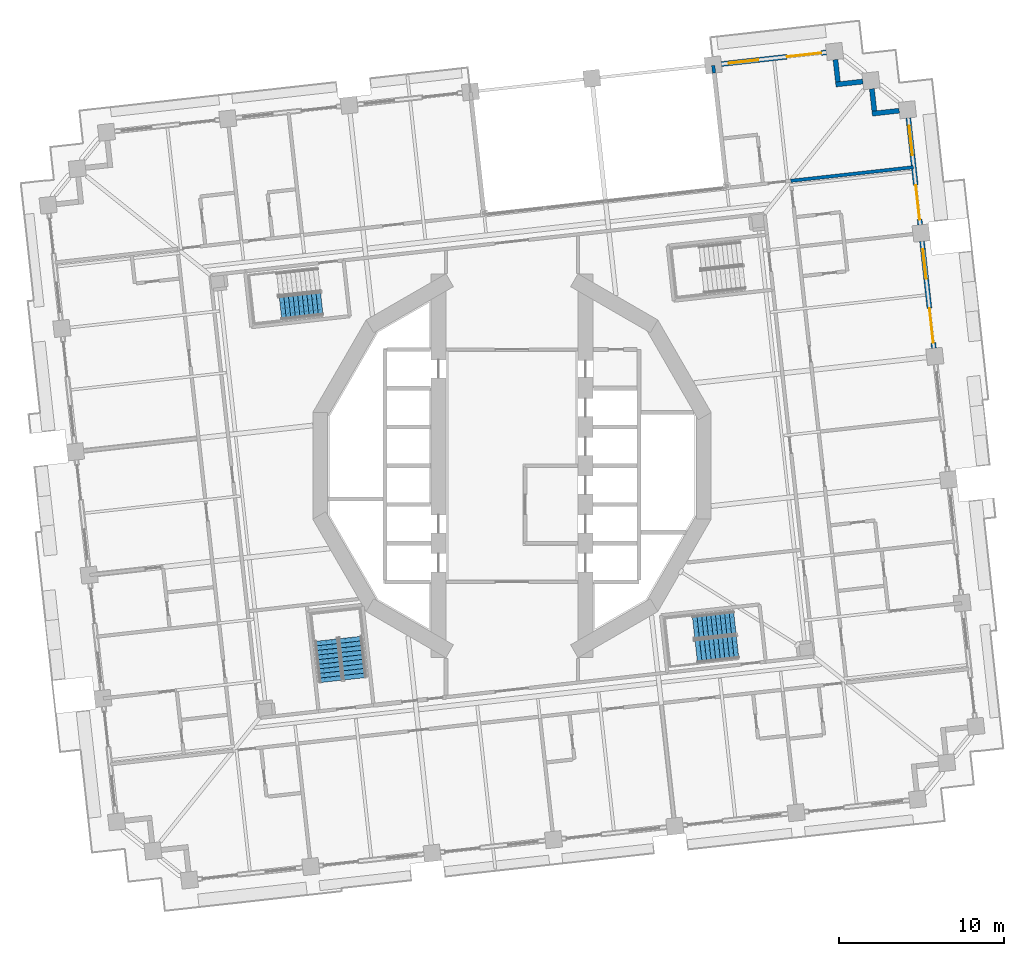
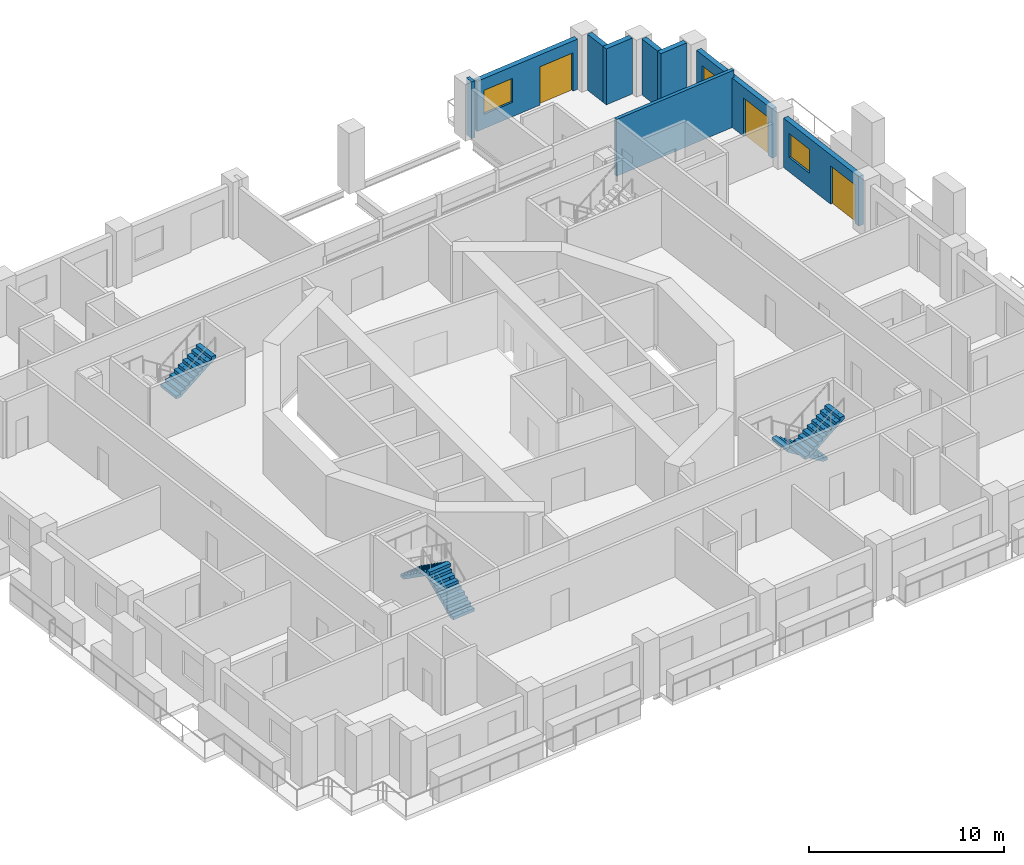
# One storey, part 13 of 20: 9 walls, 5 stair flights, 3 doors, 3 windows, 6 openings, 3 elements without a shape of their own.
"""IFC4 building model written with IfcOpenShell, lengths in metres."""

from ifc_helpers import new_model, si_unit, direction, frame, frame_2d, origin, place, context, subcontext, project, spatial, polyline, rectangle, outline, extrude, material, layer, layer_set, type_object, element, fill, aggregate, save


model = new_model("IFC4")

# Units and contexts
model_context = context("Model", 3, precision=1e-05, world=origin(), true_north=direction((0.0, 1.0)))
body_context = subcontext(model_context, "Body", "Model", "MODEL_VIEW")
ifc_project = project(units=[si_unit("LENGTHUNIT", "METRE"), si_unit("AREAUNIT", "SQUARE_METRE"), si_unit("VOLUMEUNIT", "CUBIC_METRE"), si_unit("PLANEANGLEUNIT", "RADIAN"), si_unit("MASSUNIT", "GRAM", prefix="KILO")], contexts=[model_context])

# Site, building, storey
site_placement = place(None, origin())
site = spatial("IfcSite", under=ifc_project, at=site_placement, CompositionType="ELEMENT")
building_placement = place(site_placement, origin())
building = spatial("IfcBuilding", under=site, at=building_placement, Name="Cantera Rosa Tower", CompositionType="ELEMENT")
storey_placement = place(building_placement, frame((0.0, 0.0, 50.10009765625)))
storey = spatial("IfcBuildingStorey", under=building, at=storey_placement, Name="L09", CompositionType="ELEMENT", Elevation=50.10009765625)

# Walls
ifc_material_1 = material(Name="Hollow clay masonry with cantera stone cladding", Category="masonry")
ifc_layer_1 = layer(ifc_material_1, 0.300048828125)
ifc_layer_set_1 = layer_set([ifc_layer_1], Name="EW-LOGGIA 300")
wall_type_1 = type_object("IfcWallType", Name="EW-LOGGIA 300", PredefinedType="SOLIDWALL", material=ifc_layer_set_1)
wall_1_placement = place(storey_placement, frame((23.46923828125, 21.520263671875, 0.0), z_axis=(0.0, 0.0, 1.0), x_axis=(-0.993905369514, -0.110236638423, 0.0)))
element("IfcWall", 1, at=wall_1_placement, inside=storey, type_object=wall_type_1, Name="EN-L09-W06a", PredefinedType="SOLIDWALL", context=body_context, shape_type="SweptSolid", body=[
    extrude(rectangle(XDim=1.64990234375, YDim=0.300048828125, at=frame_2d((0.824951171875, 0.0))), origin(), (0.0, 0.0, 1.0), 3.5),
])
wall_2_placement = place(storey_placement, frame((21.9619140625, 21.50390625, 0.0), z_axis=(0.0, 0.0, 1.0), x_axis=(-0.110312435488, 0.993896959738, 0.0)))
element("IfcWall", 2, at=wall_2_placement, inside=storey, type_object=wall_type_1, Name="EN-L09-W06b", PredefinedType="SOLIDWALL", context=body_context, shape_type="SweptSolid", body=[
    extrude(rectangle(XDim=1.35009765625, YDim=0.300048828125, at=frame_2d((0.675048828125, 0.0))), origin(), (0.0, 0.0, 1.0), 3.5),
])
wall_3_placement = place(storey_placement, frame((21.2607421875, 23.287353515625, 0.0), z_axis=(0.0, 0.0, 1.0), x_axis=(-0.993905369514, -0.110236638423, 0.0)))
element("IfcWall", 3, at=wall_3_placement, inside=storey, type_object=wall_type_1, Name="EN-L09-W07a", PredefinedType="SOLIDWALL", context=body_context, shape_type="SweptSolid", body=[
    extrude(rectangle(XDim=1.64990234375, YDim=0.300048828125, at=frame_2d((0.824951171875, 0.0))), origin(), (0.0, 0.0, 1.0), 3.5),
])
wall_4_placement = place(storey_placement, frame((19.75341796875, 23.27099609375, 0.0), z_axis=(0.0, 0.0, 1.0), x_axis=(-0.110312435488, 0.993896959738, 0.0)))
element("IfcWall", 4, at=wall_4_placement, inside=storey, type_object=wall_type_1, Name="EN-L09-W07b", PredefinedType="SOLIDWALL", context=body_context, shape_type="SweptSolid", body=[
    extrude(rectangle(XDim=1.35009765625, YDim=0.300048828125, at=frame_2d((0.675048828125, 0.0))), origin(), (0.0, 0.0, 1.0), 3.5),
])

# Wall, openings, window, door
ifc_material_2 = material(Name="Hollow clay masonry with cantera stone cladding", Category="masonry")
ifc_layer_2 = layer(ifc_material_2, 0.300048828125)
ifc_layer_set_2 = layer_set([ifc_layer_2], Name="EW-LOGGIA 300 H3090")
wall_type_2 = type_object("IfcWallType", Name="EW-LOGGIA 300 H3090", PredefinedType="SOLIDWALL", material=ifc_layer_set_2)
wall_5_placement = place(storey_placement, frame((25.570068359375, 7.124267578125, 0.0), z_axis=(0.0, 0.0, 1.0), x_axis=(-0.110312341265, 0.993896970196, 0.0)))
wall_5 = element("IfcWall", 5, at=wall_5_placement, inside=storey, type_object=wall_type_2, Name="EN-L09-W04", PredefinedType="SOLIDWALL", context=body_context, shape_type="SweptSolid", body=[
    extrude(rectangle(XDim=6.52001953125, YDim=0.300048828125, at=frame_2d((3.260009765625, 0.0))), origin(), (0.0, 0.0, 1.0), 3.08984375),
])
opening_1_placement = place(wall_5_placement, frame((0.330078125, 0.0, 0.0)))
opening_1 = element("IfcOpeningElement", 6, at=opening_1_placement, cuts=wall_5, Name="Opening L09-TD07", PredefinedType="OPENING", context=body_context, shape_type="SweptSolid", body=[
    extrude(rectangle(XDim=2.10009765625, YDim=2.39990234375, at=frame_2d((1.050048828125, 1.199951171875))), frame((0.0, 0.159912109375, 0.0), z_axis=(0.0, -1.0, 0.0), x_axis=(1.0, 0.0, 0.0)), (0.0, 0.0, 1.0), 0.320068359375),
])
opening_2_placement = place(wall_5_placement, frame((4.239990234375, 0.0, 0.89990234375)))
opening_2 = element("IfcOpeningElement", 7, at=opening_2_placement, cuts=wall_5, Name="Opening L09-W08", PredefinedType="OPENING", context=body_context, shape_type="SweptSolid", body=[
    extrude(rectangle(XDim=1.800048828125, YDim=1.5, at=frame_2d((0.89990234375, 0.75))), frame((0.0, 0.159912109375, 0.0), z_axis=(0.0, -1.0, 0.0), x_axis=(1.0, 0.0, 0.0)), (0.0, 0.0, 1.0), 0.320068359375),
])
ifc_material_3 = material(Name="Aluminium frame with clear glass", Category="aluminium")
window_type = type_object("IfcWindowType", Name="Hotel room window 1800x1500", PartitioningType="DOUBLE_PANEL_VERTICAL", PredefinedType="WINDOW", material=ifc_material_3)
window_1_placement = place(opening_2_placement, origin())
window_1 = element("IfcWindow", 8, at=window_1_placement, inside=storey, type_object=window_type, Name="WINDOW L09-W08", OverallHeight=1.5, OverallWidth=1.800048828125, PartitioningType="SINGLE_PANEL", PredefinedType="WINDOW", context=body_context, shape_type="SweptSolid", body=[
    extrude(rectangle(XDim=1.800048828125, YDim=1.5, at=frame_2d((0.89990234375, 0.75))), frame((0.0, 0.030029296875, 0.0), z_axis=(0.0, -1.0, 0.0), x_axis=(1.0, 0.0, 0.0)), (0.0, 0.0, 1.0), 0.06005859375),
])
fill(opening_2, window_1)
ifc_material_4 = material(Name="Aluminium frame with clear glass", Category="aluminium")
door_type = type_object("IfcDoorType", Name="TD-H 2100x2400", OperationType="NOTDEFINED", PredefinedType="DOOR", material=ifc_material_4)
door_1_placement = place(opening_1_placement, origin())
door_1 = element("IfcDoor", 9, at=door_1_placement, inside=storey, type_object=door_type, Name="LOGGIA DOOR L09-TD07", OperationType="SLIDING_TO_LEFT", OverallHeight=2.39990234375, OverallWidth=2.10009765625, PredefinedType="DOOR", context=body_context, shape_type="SweptSolid", body=[
    extrude(rectangle(XDim=2.10009765625, YDim=2.39990234375, at=frame_2d((1.050048828125, 1.199951171875))), frame((0.0, 0.02490234375, 0.0), z_axis=(0.0, -1.0, 0.0), x_axis=(1.0, 0.0, 0.0)), (0.0, 0.0, 1.0), 0.050048828125),
])
fill(opening_1, door_1)

wall_6_placement = place(storey_placement, frame((24.74072265625, 14.598388671875, 0.0), z_axis=(0.0, 0.0, 1.0), x_axis=(-0.110312341265, 0.993896970196, 0.0)))
wall_6 = element("IfcWall", 10, at=wall_6_placement, inside=storey, type_object=wall_type_2, Name="EN-L09-W05", PredefinedType="SOLIDWALL", context=body_context, shape_type="SweptSolid", body=[
    extrude(rectangle(XDim=6.52001953125, YDim=0.300048828125, at=frame_2d((3.260009765625, 0.0))), origin(), (0.0, 0.0, 1.0), 3.08984375),
])
opening_3_placement = place(wall_6_placement, frame((0.330078125, 0.0, 0.0)))
opening_3 = element("IfcOpeningElement", 11, at=opening_3_placement, cuts=wall_6, Name="Opening L09-TD09", PredefinedType="OPENING", context=body_context, shape_type="SweptSolid", body=[
    extrude(rectangle(XDim=2.10009765625, YDim=2.39990234375, at=frame_2d((1.050048828125, 1.199951171875))), frame((0.0, 0.159912109375, 0.0), z_axis=(0.0, -1.0, 0.0), x_axis=(1.0, 0.0, 0.0)), (0.0, 0.0, 1.0), 0.320068359375),
])
opening_4_placement = place(wall_6_placement, frame((4.239990234375, 0.0, 0.89990234375)))
opening_4 = element("IfcOpeningElement", 12, at=opening_4_placement, cuts=wall_6, Name="Opening L09-W10", PredefinedType="OPENING", context=body_context, shape_type="SweptSolid", body=[
    extrude(rectangle(XDim=1.800048828125, YDim=1.5, at=frame_2d((0.89990234375, 0.75))), frame((0.0, 0.159912109375, 0.0), z_axis=(0.0, -1.0, 0.0), x_axis=(1.0, 0.0, 0.0)), (0.0, 0.0, 1.0), 0.320068359375),
])
window_2_placement = place(opening_4_placement, origin())
window_2 = element("IfcWindow", 13, at=window_2_placement, inside=storey, type_object=window_type, Name="WINDOW L09-W10", OverallHeight=1.5, OverallWidth=1.800048828125, PartitioningType="SINGLE_PANEL", PredefinedType="WINDOW", context=body_context, shape_type="SweptSolid", body=[
    extrude(rectangle(XDim=1.800048828125, YDim=1.5, at=frame_2d((0.89990234375, 0.75))), frame((0.0, 0.030029296875, 0.0), z_axis=(0.0, -1.0, 0.0), x_axis=(1.0, 0.0, 0.0)), (0.0, 0.0, 1.0), 0.06005859375),
])
fill(opening_4, window_2)
door_2_placement = place(opening_3_placement, origin())
door_2 = element("IfcDoor", 14, at=door_2_placement, inside=storey, type_object=door_type, Name="LOGGIA DOOR L09-TD09", OperationType="SLIDING_TO_LEFT", OverallHeight=2.39990234375, OverallWidth=2.10009765625, PredefinedType="DOOR", context=body_context, shape_type="SweptSolid", body=[
    extrude(rectangle(XDim=2.10009765625, YDim=2.39990234375, at=frame_2d((1.050048828125, 1.199951171875))), frame((0.0, 0.02490234375, 0.0), z_axis=(0.0, -1.0, 0.0), x_axis=(1.0, 0.0, 0.0)), (0.0, 0.0, 1.0), 0.050048828125),
])
fill(opening_3, door_2)

ifc_material_5 = material(Name="Hollow clay masonry with cantera stone cladding", Category="masonry")
ifc_layer_3 = layer(ifc_material_5, 0.300048828125)
ifc_layer_set_3 = layer_set([ifc_layer_3], Name="EW-LOGGIA 300 H3140")
wall_type_3 = type_object("IfcWallType", Name="EW-LOGGIA 300 H3140", PredefinedType="SOLIDWALL", material=ifc_layer_set_3)
wall_7_placement = place(storey_placement, frame((19.052490234375, 25.0546875, 0.0), z_axis=(0.0, 0.0, 1.0), x_axis=(-0.993896288542, -0.110318482689, 0.0)))
wall_7 = element("IfcWall", 15, at=wall_7_placement, inside=storey, type_object=wall_type_3, Name="EN-L09-W08", PredefinedType="SOLIDWALL", context=body_context, shape_type="SweptSolid", body=[
    extrude(rectangle(XDim=6.400146484375, YDim=0.300048828125, at=frame_2d((3.2001953125, 0.0))), origin(), (0.0, 0.0, 1.0), 3.139892578125),
])
opening_5_placement = place(wall_7_placement, frame((0.300048828125, 0.0, 0.0)))
opening_5 = element("IfcOpeningElement", 16, at=opening_5_placement, cuts=wall_7, Name="Opening L09-TD11", PredefinedType="OPENING", context=body_context, shape_type="SweptSolid", body=[
    extrude(rectangle(XDim=2.10009765625, YDim=2.39990234375, at=frame_2d((1.050048828125, 1.199951171875))), frame((0.0, 0.159912109375, 0.0), z_axis=(0.0, -1.0, 0.0), x_axis=(1.0, 0.0, 0.0)), (0.0, 0.0, 1.0), 0.320068359375),
])
opening_6_placement = place(wall_7_placement, frame((4.14990234375, 0.0, 0.89990234375)))
opening_6 = element("IfcOpeningElement", 17, at=opening_6_placement, cuts=wall_7, Name="Opening L09-W12", PredefinedType="OPENING", context=body_context, shape_type="SweptSolid", body=[
    extrude(rectangle(XDim=1.800048828125, YDim=1.5, at=frame_2d((0.89990234375, 0.75))), frame((0.0, 0.159912109375, 0.0), z_axis=(0.0, -1.0, 0.0), x_axis=(1.0, 0.0, 0.0)), (0.0, 0.0, 1.0), 0.320068359375),
])
window_3_placement = place(opening_6_placement, origin())
window_3 = element("IfcWindow", 18, at=window_3_placement, inside=storey, type_object=window_type, Name="WINDOW L09-W12", OverallHeight=1.5, OverallWidth=1.800048828125, PartitioningType="SINGLE_PANEL", PredefinedType="WINDOW", context=body_context, shape_type="SweptSolid", body=[
    extrude(rectangle(XDim=1.800048828125, YDim=1.5, at=frame_2d((0.89990234375, 0.75))), frame((0.0, 0.030029296875, 0.0), z_axis=(0.0, -1.0, 0.0), x_axis=(1.0, 0.0, 0.0)), (0.0, 0.0, 1.0), 0.06005859375),
])
fill(opening_6, window_3)
door_3_placement = place(opening_5_placement, origin())
door_3 = element("IfcDoor", 19, at=door_3_placement, inside=storey, type_object=door_type, Name="LOGGIA DOOR L09-TD11", OperationType="SLIDING_TO_LEFT", OverallHeight=2.39990234375, OverallWidth=2.10009765625, PredefinedType="DOOR", context=body_context, shape_type="SweptSolid", body=[
    extrude(rectangle(XDim=2.10009765625, YDim=2.39990234375, at=frame_2d((1.050048828125, 1.199951171875))), frame((0.0, 0.02490234375, 0.0), z_axis=(0.0, -1.0, 0.0), x_axis=(1.0, 0.0, 0.0)), (0.0, 0.0, 1.0), 0.050048828125),
])
fill(opening_5, door_3)

# Walls
ifc_material_6 = material(Name="Gypsum board partition")
ifc_layer_4 = layer(ifc_material_6, 0.199951171875)
ifc_layer_set_4 = layer_set([ifc_layer_4], Name="PARTITION 200 H3550")
wall_type_4 = type_object("IfcWallType", Name="PARTITION 200 H3550", PredefinedType="PARTITIONING", material=ifc_layer_set_4)
wall_8_placement = place(storey_placement, frame((12.249755859375, 23.79638671875, 0.0), z_axis=(0.0, 0.0, 1.0), x_axis=(-0.110089547864, 0.993921672694, 0.0)))
element("IfcWall", 20, at=wall_8_placement, inside=storey, type_object=wall_type_4, Name="PARTITION L09-081", PredefinedType="PARTITIONING", context=body_context, shape_type="SweptSolid", body=[
    extrude(rectangle(XDim=0.47021484375, YDim=0.199951171875, at=frame_2d((0.235107421875, 0.0))), origin(), (0.0, 0.0, 1.0), 3.5498046875),
])
ifc_material_7 = material(Name="Gypsum board partition")
ifc_layer_5 = layer(ifc_material_7, 0.199951171875)
ifc_layer_set_5 = layer_set([ifc_layer_5], Name="PARTY WALL 200 H3550")
wall_type_5 = type_object("IfcWallType", Name="PARTY WALL 200 H3550", PredefinedType="PARTITIONING", material=ifc_layer_set_5)
wall_9_placement = place(storey_placement, frame((16.898193359375, 17.26953125, 0.0), z_axis=(0.0, 0.0, 1.0), x_axis=(0.993897676912, 0.110305973679, 0.0)))
element("IfcWall", 21, at=wall_9_placement, inside=storey, type_object=wall_type_5, Name="PARTY WALL L09-100", PredefinedType="PARTITIONING", context=body_context, shape_type="SweptSolid", body=[
    extrude(rectangle(XDim=7.469970703125, YDim=0.199951171875, at=frame_2d((3.73486328125, 0.0))), origin(), (0.0, 0.0, 1.0), 3.5498046875),
])

# Stair, stair flight
ifc_material_8 = material(Name="Concrete C35/45", Category="concrete")
stair_type = type_object("IfcStairType", Name="EXIT STAIR 1350 DOGLEG", PredefinedType="HALF_TURN_STAIR", material=ifc_material_8)
stair_1_placement = place(storey_placement, origin())
stair_1 = element("IfcStair", 22, at=stair_1_placement, inside=storey, type_object=stair_type, Name="L09 ST-12", PredefinedType="HALF_TURN_STAIR")
ifc_material_9 = material(Name="Concrete C35/45", Category="concrete")
stair_flight_type = type_object("IfcStairFlightType", Name="STAIR FLIGHT 1350 R20x190", PredefinedType="STRAIGHT", material=ifc_material_9)
stair_flight_1_placement = place(storey_placement, frame((-14.030517578125, 9.531005859375, 1.89990234375), z_axis=(0.0, 0.0, 1.0), x_axis=(0.993896947056, 0.110312549749, 0.0)))
stair_flight_1 = element("IfcStairFlight", 23, at=stair_flight_1_placement, type_object=stair_flight_type, Name="ST-12 flight 2", NumberOfRisers=10, NumberOfTreads=9, PredefinedType="STRAIGHT", RiserHeight=0.19, TreadLength=0.28, context=body_context, shape_type="SweptSolid", body=[
    extrude(outline(polyline([(0.0, 0.0), (0.0, 0.18994140625), (0.280029296875, 0.18994140625), (0.280029296875, 0.3798828125), (0.56005859375, 0.3798828125), (0.56005859375, 0.570068359375), (0.840087890625, 0.570068359375), (0.840087890625, 0.760009765625), (1.1201171875, 0.760009765625), (1.1201171875, 0.949951171875), (1.39990234375, 0.949951171875), (1.39990234375, 1.139892578125), (1.679931640625, 1.139892578125), (1.679931640625, 1.330078125), (1.9599609375, 1.330078125), (1.9599609375, 1.52001953125), (2.239990234375, 1.52001953125), (2.239990234375, 1.7099609375), (2.52001953125, 1.7099609375), (2.52001953125, 1.89990234375), (2.52001953125, 1.52880859375), (0.266845703125, 0.0), (0.0, 0.0)])), frame((0.0, 0.675048828125, 0.0), z_axis=(0.0, -1.0, 0.0), x_axis=(1.0, 0.0, 0.0)), (0.0, 0.0, 1.0), 0.3359375),
    extrude(outline(polyline([(0.0, 0.0), (0.0, 0.18994140625), (0.280029296875, 0.18994140625), (0.280029296875, 0.3798828125), (0.56005859375, 0.3798828125), (0.56005859375, 0.570068359375), (0.840087890625, 0.570068359375), (0.840087890625, 0.760009765625), (1.1201171875, 0.760009765625), (1.1201171875, 0.949951171875), (1.39990234375, 0.949951171875), (1.39990234375, 1.139892578125), (1.679931640625, 1.139892578125), (1.679931640625, 1.330078125), (1.9599609375, 1.330078125), (1.9599609375, 1.52001953125), (2.239990234375, 1.52001953125), (2.239990234375, 1.7099609375), (2.52001953125, 1.7099609375), (2.52001953125, 1.89990234375), (2.52001953125, 1.52880859375), (0.266845703125, 0.0), (0.0, 0.0)])), frame((0.0, 0.337158203125, 0.0), z_axis=(0.0, -1.0, 0.0), x_axis=(1.0, 0.0, 0.0)), (0.0, 0.0, 1.0), 0.3359375),
    extrude(outline(polyline([(0.0, 0.0), (0.0, 0.18994140625), (0.280029296875, 0.18994140625), (0.280029296875, 0.3798828125), (0.56005859375, 0.3798828125), (0.56005859375, 0.570068359375), (0.840087890625, 0.570068359375), (0.840087890625, 0.760009765625), (1.1201171875, 0.760009765625), (1.1201171875, 0.949951171875), (1.39990234375, 0.949951171875), (1.39990234375, 1.139892578125), (1.679931640625, 1.139892578125), (1.679931640625, 1.330078125), (1.9599609375, 1.330078125), (1.9599609375, 1.52001953125), (2.239990234375, 1.52001953125), (2.239990234375, 1.7099609375), (2.52001953125, 1.7099609375), (2.52001953125, 1.89990234375), (2.52001953125, 1.52880859375), (0.266845703125, 0.0), (0.0, 0.0)])), frame((0.0, -0.000732421875, 0.0), z_axis=(0.0, -1.0, 0.0), x_axis=(1.0, 0.0, 0.0)), (0.0, 0.0, 1.0), 0.3359375),
    extrude(outline(polyline([(0.0, 0.0), (0.0, 0.18994140625), (0.280029296875, 0.18994140625), (0.280029296875, 0.3798828125), (0.56005859375, 0.3798828125), (0.56005859375, 0.570068359375), (0.840087890625, 0.570068359375), (0.840087890625, 0.760009765625), (1.1201171875, 0.760009765625), (1.1201171875, 0.949951171875), (1.39990234375, 0.949951171875), (1.39990234375, 1.139892578125), (1.679931640625, 1.139892578125), (1.679931640625, 1.330078125), (1.9599609375, 1.330078125), (1.9599609375, 1.52001953125), (2.239990234375, 1.52001953125), (2.239990234375, 1.7099609375), (2.52001953125, 1.7099609375), (2.52001953125, 1.89990234375), (2.52001953125, 1.52880859375), (0.266845703125, 0.0), (0.0, 0.0)])), frame((0.0, -0.338623046875, 0.0), z_axis=(0.0, -1.0, 0.0), x_axis=(1.0, 0.0, 0.0)), (0.0, 0.0, 1.0), 0.3359375),
])
aggregate(stair_1, [stair_flight_1])

# Stair, stair flights
stair_2_placement = place(storey_placement, origin())
stair_2 = element("IfcStair", 24, at=stair_2_placement, inside=storey, type_object=stair_type, Name="L09 ST-13", PredefinedType="HALF_TURN_STAIR")
stair_flight_2_placement = place(storey_placement, frame((-9.500244140625, -12.90869140625, 0.0), z_axis=(0.0, 0.0, 1.0), x_axis=(-0.110312549749, 0.993896947056, 0.0)))
stair_flight_2 = element("IfcStairFlight", 25, at=stair_flight_2_placement, type_object=stair_flight_type, Name="ST-13 flight 1", NumberOfRisers=10, NumberOfTreads=9, PredefinedType="STRAIGHT", RiserHeight=0.19, TreadLength=0.28, context=body_context, shape_type="SweptSolid", body=[
    extrude(outline(polyline([(0.0, 0.0), (0.0, 0.18994140625), (0.280029296875, 0.18994140625), (0.280029296875, 0.3798828125), (0.56005859375, 0.3798828125), (0.56005859375, 0.570068359375), (0.840087890625, 0.570068359375), (0.840087890625, 0.760009765625), (1.1201171875, 0.760009765625), (1.1201171875, 0.949951171875), (1.39990234375, 0.949951171875), (1.39990234375, 1.139892578125), (1.679931640625, 1.139892578125), (1.679931640625, 1.330078125), (1.9599609375, 1.330078125), (1.9599609375, 1.52001953125), (2.239990234375, 1.52001953125), (2.239990234375, 1.7099609375), (2.52001953125, 1.7099609375), (2.52001953125, 1.89990234375), (2.52001953125, 1.52880859375), (0.266845703125, 0.0), (0.0, 0.0)])), frame((0.0, 0.675048828125, 0.0), z_axis=(0.0, -1.0, 0.0), x_axis=(1.0, 0.0, 0.0)), (0.0, 0.0, 1.0), 0.3359375),
    extrude(outline(polyline([(0.0, 0.0), (0.0, 0.18994140625), (0.280029296875, 0.18994140625), (0.280029296875, 0.3798828125), (0.56005859375, 0.3798828125), (0.56005859375, 0.570068359375), (0.840087890625, 0.570068359375), (0.840087890625, 0.760009765625), (1.1201171875, 0.760009765625), (1.1201171875, 0.949951171875), (1.39990234375, 0.949951171875), (1.39990234375, 1.139892578125), (1.679931640625, 1.139892578125), (1.679931640625, 1.330078125), (1.9599609375, 1.330078125), (1.9599609375, 1.52001953125), (2.239990234375, 1.52001953125), (2.239990234375, 1.7099609375), (2.52001953125, 1.7099609375), (2.52001953125, 1.89990234375), (2.52001953125, 1.52880859375), (0.266845703125, 0.0), (0.0, 0.0)])), frame((0.0, 0.337158203125, 0.0), z_axis=(0.0, -1.0, 0.0), x_axis=(1.0, 0.0, 0.0)), (0.0, 0.0, 1.0), 0.3359375),
    extrude(outline(polyline([(0.0, 0.0), (0.0, 0.18994140625), (0.280029296875, 0.18994140625), (0.280029296875, 0.3798828125), (0.56005859375, 0.3798828125), (0.56005859375, 0.570068359375), (0.840087890625, 0.570068359375), (0.840087890625, 0.760009765625), (1.1201171875, 0.760009765625), (1.1201171875, 0.949951171875), (1.39990234375, 0.949951171875), (1.39990234375, 1.139892578125), (1.679931640625, 1.139892578125), (1.679931640625, 1.330078125), (1.9599609375, 1.330078125), (1.9599609375, 1.52001953125), (2.239990234375, 1.52001953125), (2.239990234375, 1.7099609375), (2.52001953125, 1.7099609375), (2.52001953125, 1.89990234375), (2.52001953125, 1.52880859375), (0.266845703125, 0.0), (0.0, 0.0)])), frame((0.0, -0.000732421875, 0.0), z_axis=(0.0, -1.0, 0.0), x_axis=(1.0, 0.0, 0.0)), (0.0, 0.0, 1.0), 0.3359375),
    extrude(outline(polyline([(0.0, 0.0), (0.0, 0.18994140625), (0.280029296875, 0.18994140625), (0.280029296875, 0.3798828125), (0.56005859375, 0.3798828125), (0.56005859375, 0.570068359375), (0.840087890625, 0.570068359375), (0.840087890625, 0.760009765625), (1.1201171875, 0.760009765625), (1.1201171875, 0.949951171875), (1.39990234375, 0.949951171875), (1.39990234375, 1.139892578125), (1.679931640625, 1.139892578125), (1.679931640625, 1.330078125), (1.9599609375, 1.330078125), (1.9599609375, 1.52001953125), (2.239990234375, 1.52001953125), (2.239990234375, 1.7099609375), (2.52001953125, 1.7099609375), (2.52001953125, 1.89990234375), (2.52001953125, 1.52880859375), (0.266845703125, 0.0), (0.0, 0.0)])), frame((0.0, -0.338623046875, 0.0), z_axis=(0.0, -1.0, 0.0), x_axis=(1.0, 0.0, 0.0)), (0.0, 0.0, 1.0), 0.3359375),
])
stair_flight_3_placement = place(storey_placement, frame((-11.26904296875, -10.569580078125, 1.89990234375), z_axis=(0.0, 0.0, 1.0), x_axis=(0.110312549749, -0.993896947056, 0.0)))
stair_flight_3 = element("IfcStairFlight", 26, at=stair_flight_3_placement, type_object=stair_flight_type, Name="ST-13 flight 2", NumberOfRisers=10, NumberOfTreads=9, PredefinedType="STRAIGHT", RiserHeight=0.19, TreadLength=0.28, context=body_context, shape_type="SweptSolid", body=[
    extrude(outline(polyline([(0.0, 0.0), (0.0, 0.18994140625), (0.280029296875, 0.18994140625), (0.280029296875, 0.3798828125), (0.56005859375, 0.3798828125), (0.56005859375, 0.570068359375), (0.840087890625, 0.570068359375), (0.840087890625, 0.760009765625), (1.1201171875, 0.760009765625), (1.1201171875, 0.949951171875), (1.39990234375, 0.949951171875), (1.39990234375, 1.139892578125), (1.679931640625, 1.139892578125), (1.679931640625, 1.330078125), (1.9599609375, 1.330078125), (1.9599609375, 1.52001953125), (2.239990234375, 1.52001953125), (2.239990234375, 1.7099609375), (2.52001953125, 1.7099609375), (2.52001953125, 1.89990234375), (2.52001953125, 1.52880859375), (0.266845703125, 0.0), (0.0, 0.0)])), frame((0.0, 0.675048828125, 0.0), z_axis=(0.0, -1.0, 0.0), x_axis=(1.0, 0.0, 0.0)), (0.0, 0.0, 1.0), 0.3359375),
    extrude(outline(polyline([(0.0, 0.0), (0.0, 0.18994140625), (0.280029296875, 0.18994140625), (0.280029296875, 0.3798828125), (0.56005859375, 0.3798828125), (0.56005859375, 0.570068359375), (0.840087890625, 0.570068359375), (0.840087890625, 0.760009765625), (1.1201171875, 0.760009765625), (1.1201171875, 0.949951171875), (1.39990234375, 0.949951171875), (1.39990234375, 1.139892578125), (1.679931640625, 1.139892578125), (1.679931640625, 1.330078125), (1.9599609375, 1.330078125), (1.9599609375, 1.52001953125), (2.239990234375, 1.52001953125), (2.239990234375, 1.7099609375), (2.52001953125, 1.7099609375), (2.52001953125, 1.89990234375), (2.52001953125, 1.52880859375), (0.266845703125, 0.0), (0.0, 0.0)])), frame((0.0, 0.337158203125, 0.0), z_axis=(0.0, -1.0, 0.0), x_axis=(1.0, 0.0, 0.0)), (0.0, 0.0, 1.0), 0.3359375),
    extrude(outline(polyline([(0.0, 0.0), (0.0, 0.18994140625), (0.280029296875, 0.18994140625), (0.280029296875, 0.3798828125), (0.56005859375, 0.3798828125), (0.56005859375, 0.570068359375), (0.840087890625, 0.570068359375), (0.840087890625, 0.760009765625), (1.1201171875, 0.760009765625), (1.1201171875, 0.949951171875), (1.39990234375, 0.949951171875), (1.39990234375, 1.139892578125), (1.679931640625, 1.139892578125), (1.679931640625, 1.330078125), (1.9599609375, 1.330078125), (1.9599609375, 1.52001953125), (2.239990234375, 1.52001953125), (2.239990234375, 1.7099609375), (2.52001953125, 1.7099609375), (2.52001953125, 1.89990234375), (2.52001953125, 1.52880859375), (0.266845703125, 0.0), (0.0, 0.0)])), frame((0.0, -0.000732421875, 0.0), z_axis=(0.0, -1.0, 0.0), x_axis=(1.0, 0.0, 0.0)), (0.0, 0.0, 1.0), 0.3359375),
    extrude(outline(polyline([(0.0, 0.0), (0.0, 0.18994140625), (0.280029296875, 0.18994140625), (0.280029296875, 0.3798828125), (0.56005859375, 0.3798828125), (0.56005859375, 0.570068359375), (0.840087890625, 0.570068359375), (0.840087890625, 0.760009765625), (1.1201171875, 0.760009765625), (1.1201171875, 0.949951171875), (1.39990234375, 0.949951171875), (1.39990234375, 1.139892578125), (1.679931640625, 1.139892578125), (1.679931640625, 1.330078125), (1.9599609375, 1.330078125), (1.9599609375, 1.52001953125), (2.239990234375, 1.52001953125), (2.239990234375, 1.7099609375), (2.52001953125, 1.7099609375), (2.52001953125, 1.89990234375), (2.52001953125, 1.52880859375), (0.266845703125, 0.0), (0.0, 0.0)])), frame((0.0, -0.338623046875, 0.0), z_axis=(0.0, -1.0, 0.0), x_axis=(1.0, 0.0, 0.0)), (0.0, 0.0, 1.0), 0.3359375),
])
aggregate(stair_2, [stair_flight_2, stair_flight_3])

stair_3_placement = place(storey_placement, origin())
stair_3 = element("IfcStair", 27, at=stair_3_placement, inside=storey, type_object=stair_type, Name="L09 ST-14", PredefinedType="HALF_TURN_STAIR")
stair_flight_4_placement = place(storey_placement, frame((13.5087890625, -9.500244140625, 0.0), z_axis=(0.0, 0.0, 1.0), x_axis=(-0.993896947056, -0.110312549749, 0.0)))
stair_flight_4 = element("IfcStairFlight", 28, at=stair_flight_4_placement, type_object=stair_flight_type, Name="ST-14 flight 1", NumberOfRisers=10, NumberOfTreads=9, PredefinedType="STRAIGHT", RiserHeight=0.19, TreadLength=0.28, context=body_context, shape_type="SweptSolid", body=[
    extrude(outline(polyline([(0.0, 0.0), (0.0, 0.18994140625), (0.280029296875, 0.18994140625), (0.280029296875, 0.3798828125), (0.56005859375, 0.3798828125), (0.56005859375, 0.570068359375), (0.840087890625, 0.570068359375), (0.840087890625, 0.760009765625), (1.1201171875, 0.760009765625), (1.1201171875, 0.949951171875), (1.39990234375, 0.949951171875), (1.39990234375, 1.139892578125), (1.679931640625, 1.139892578125), (1.679931640625, 1.330078125), (1.9599609375, 1.330078125), (1.9599609375, 1.52001953125), (2.239990234375, 1.52001953125), (2.239990234375, 1.7099609375), (2.52001953125, 1.7099609375), (2.52001953125, 1.89990234375), (2.52001953125, 1.52880859375), (0.266845703125, 0.0), (0.0, 0.0)])), frame((0.0, 0.675048828125, 0.0), z_axis=(0.0, -1.0, 0.0), x_axis=(1.0, 0.0, 0.0)), (0.0, 0.0, 1.0), 0.3359375),
    extrude(outline(polyline([(0.0, 0.0), (0.0, 0.18994140625), (0.280029296875, 0.18994140625), (0.280029296875, 0.3798828125), (0.56005859375, 0.3798828125), (0.56005859375, 0.570068359375), (0.840087890625, 0.570068359375), (0.840087890625, 0.760009765625), (1.1201171875, 0.760009765625), (1.1201171875, 0.949951171875), (1.39990234375, 0.949951171875), (1.39990234375, 1.139892578125), (1.679931640625, 1.139892578125), (1.679931640625, 1.330078125), (1.9599609375, 1.330078125), (1.9599609375, 1.52001953125), (2.239990234375, 1.52001953125), (2.239990234375, 1.7099609375), (2.52001953125, 1.7099609375), (2.52001953125, 1.89990234375), (2.52001953125, 1.52880859375), (0.266845703125, 0.0), (0.0, 0.0)])), frame((0.0, 0.337158203125, 0.0), z_axis=(0.0, -1.0, 0.0), x_axis=(1.0, 0.0, 0.0)), (0.0, 0.0, 1.0), 0.3359375),
    extrude(outline(polyline([(0.0, 0.0), (0.0, 0.18994140625), (0.280029296875, 0.18994140625), (0.280029296875, 0.3798828125), (0.56005859375, 0.3798828125), (0.56005859375, 0.570068359375), (0.840087890625, 0.570068359375), (0.840087890625, 0.760009765625), (1.1201171875, 0.760009765625), (1.1201171875, 0.949951171875), (1.39990234375, 0.949951171875), (1.39990234375, 1.139892578125), (1.679931640625, 1.139892578125), (1.679931640625, 1.330078125), (1.9599609375, 1.330078125), (1.9599609375, 1.52001953125), (2.239990234375, 1.52001953125), (2.239990234375, 1.7099609375), (2.52001953125, 1.7099609375), (2.52001953125, 1.89990234375), (2.52001953125, 1.52880859375), (0.266845703125, 0.0), (0.0, 0.0)])), frame((0.0, -0.000732421875, 0.0), z_axis=(0.0, -1.0, 0.0), x_axis=(1.0, 0.0, 0.0)), (0.0, 0.0, 1.0), 0.3359375),
    extrude(outline(polyline([(0.0, 0.0), (0.0, 0.18994140625), (0.280029296875, 0.18994140625), (0.280029296875, 0.3798828125), (0.56005859375, 0.3798828125), (0.56005859375, 0.570068359375), (0.840087890625, 0.570068359375), (0.840087890625, 0.760009765625), (1.1201171875, 0.760009765625), (1.1201171875, 0.949951171875), (1.39990234375, 0.949951171875), (1.39990234375, 1.139892578125), (1.679931640625, 1.139892578125), (1.679931640625, 1.330078125), (1.9599609375, 1.330078125), (1.9599609375, 1.52001953125), (2.239990234375, 1.52001953125), (2.239990234375, 1.7099609375), (2.52001953125, 1.7099609375), (2.52001953125, 1.89990234375), (2.52001953125, 1.52880859375), (0.266845703125, 0.0), (0.0, 0.0)])), frame((0.0, -0.338623046875, 0.0), z_axis=(0.0, -1.0, 0.0), x_axis=(1.0, 0.0, 0.0)), (0.0, 0.0, 1.0), 0.3359375),
])
stair_flight_5_placement = place(storey_placement, frame((11.169677734375, -11.26904296875, 1.89990234375), z_axis=(0.0, 0.0, 1.0), x_axis=(0.993896947056, 0.110312549749, 0.0)))
stair_flight_5 = element("IfcStairFlight", 29, at=stair_flight_5_placement, type_object=stair_flight_type, Name="ST-14 flight 2", NumberOfRisers=10, NumberOfTreads=9, PredefinedType="STRAIGHT", RiserHeight=0.19, TreadLength=0.28, context=body_context, shape_type="SweptSolid", body=[
    extrude(outline(polyline([(0.0, 0.0), (0.0, 0.18994140625), (0.280029296875, 0.18994140625), (0.280029296875, 0.3798828125), (0.56005859375, 0.3798828125), (0.56005859375, 0.570068359375), (0.840087890625, 0.570068359375), (0.840087890625, 0.760009765625), (1.1201171875, 0.760009765625), (1.1201171875, 0.949951171875), (1.39990234375, 0.949951171875), (1.39990234375, 1.139892578125), (1.679931640625, 1.139892578125), (1.679931640625, 1.330078125), (1.9599609375, 1.330078125), (1.9599609375, 1.52001953125), (2.239990234375, 1.52001953125), (2.239990234375, 1.7099609375), (2.52001953125, 1.7099609375), (2.52001953125, 1.89990234375), (2.52001953125, 1.52880859375), (0.266845703125, 0.0), (0.0, 0.0)])), frame((0.0, 0.675048828125, 0.0), z_axis=(0.0, -1.0, 0.0), x_axis=(1.0, 0.0, 0.0)), (0.0, 0.0, 1.0), 0.3359375),
    extrude(outline(polyline([(0.0, 0.0), (0.0, 0.18994140625), (0.280029296875, 0.18994140625), (0.280029296875, 0.3798828125), (0.56005859375, 0.3798828125), (0.56005859375, 0.570068359375), (0.840087890625, 0.570068359375), (0.840087890625, 0.760009765625), (1.1201171875, 0.760009765625), (1.1201171875, 0.949951171875), (1.39990234375, 0.949951171875), (1.39990234375, 1.139892578125), (1.679931640625, 1.139892578125), (1.679931640625, 1.330078125), (1.9599609375, 1.330078125), (1.9599609375, 1.52001953125), (2.239990234375, 1.52001953125), (2.239990234375, 1.7099609375), (2.52001953125, 1.7099609375), (2.52001953125, 1.89990234375), (2.52001953125, 1.52880859375), (0.266845703125, 0.0), (0.0, 0.0)])), frame((0.0, 0.337158203125, 0.0), z_axis=(0.0, -1.0, 0.0), x_axis=(1.0, 0.0, 0.0)), (0.0, 0.0, 1.0), 0.3359375),
    extrude(outline(polyline([(0.0, 0.0), (0.0, 0.18994140625), (0.280029296875, 0.18994140625), (0.280029296875, 0.3798828125), (0.56005859375, 0.3798828125), (0.56005859375, 0.570068359375), (0.840087890625, 0.570068359375), (0.840087890625, 0.760009765625), (1.1201171875, 0.760009765625), (1.1201171875, 0.949951171875), (1.39990234375, 0.949951171875), (1.39990234375, 1.139892578125), (1.679931640625, 1.139892578125), (1.679931640625, 1.330078125), (1.9599609375, 1.330078125), (1.9599609375, 1.52001953125), (2.239990234375, 1.52001953125), (2.239990234375, 1.7099609375), (2.52001953125, 1.7099609375), (2.52001953125, 1.89990234375), (2.52001953125, 1.52880859375), (0.266845703125, 0.0), (0.0, 0.0)])), frame((0.0, -0.000732421875, 0.0), z_axis=(0.0, -1.0, 0.0), x_axis=(1.0, 0.0, 0.0)), (0.0, 0.0, 1.0), 0.3359375),
    extrude(outline(polyline([(0.0, 0.0), (0.0, 0.18994140625), (0.280029296875, 0.18994140625), (0.280029296875, 0.3798828125), (0.56005859375, 0.3798828125), (0.56005859375, 0.570068359375), (0.840087890625, 0.570068359375), (0.840087890625, 0.760009765625), (1.1201171875, 0.760009765625), (1.1201171875, 0.949951171875), (1.39990234375, 0.949951171875), (1.39990234375, 1.139892578125), (1.679931640625, 1.139892578125), (1.679931640625, 1.330078125), (1.9599609375, 1.330078125), (1.9599609375, 1.52001953125), (2.239990234375, 1.52001953125), (2.239990234375, 1.7099609375), (2.52001953125, 1.7099609375), (2.52001953125, 1.89990234375), (2.52001953125, 1.52880859375), (0.266845703125, 0.0), (0.0, 0.0)])), frame((0.0, -0.338623046875, 0.0), z_axis=(0.0, -1.0, 0.0), x_axis=(1.0, 0.0, 0.0)), (0.0, 0.0, 1.0), 0.3359375),
])
aggregate(stair_3, [stair_flight_4, stair_flight_5])

save(model, "model.ifc")
